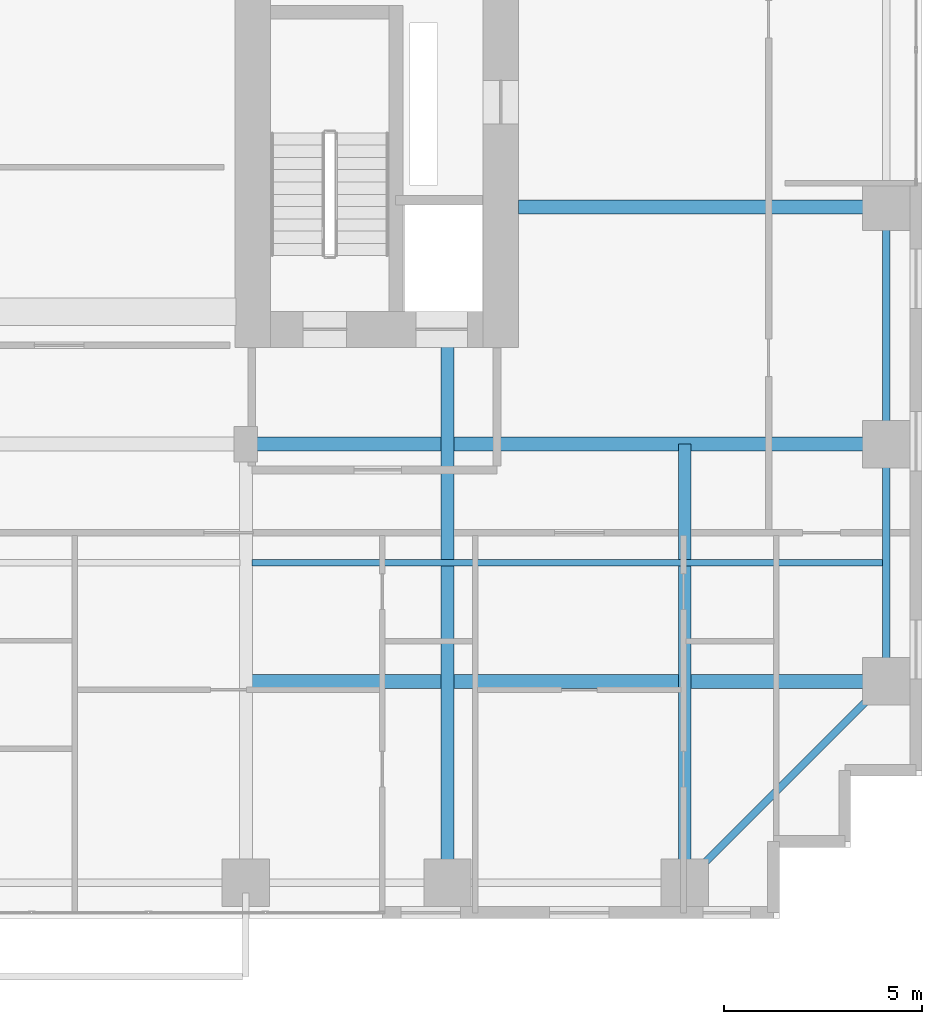
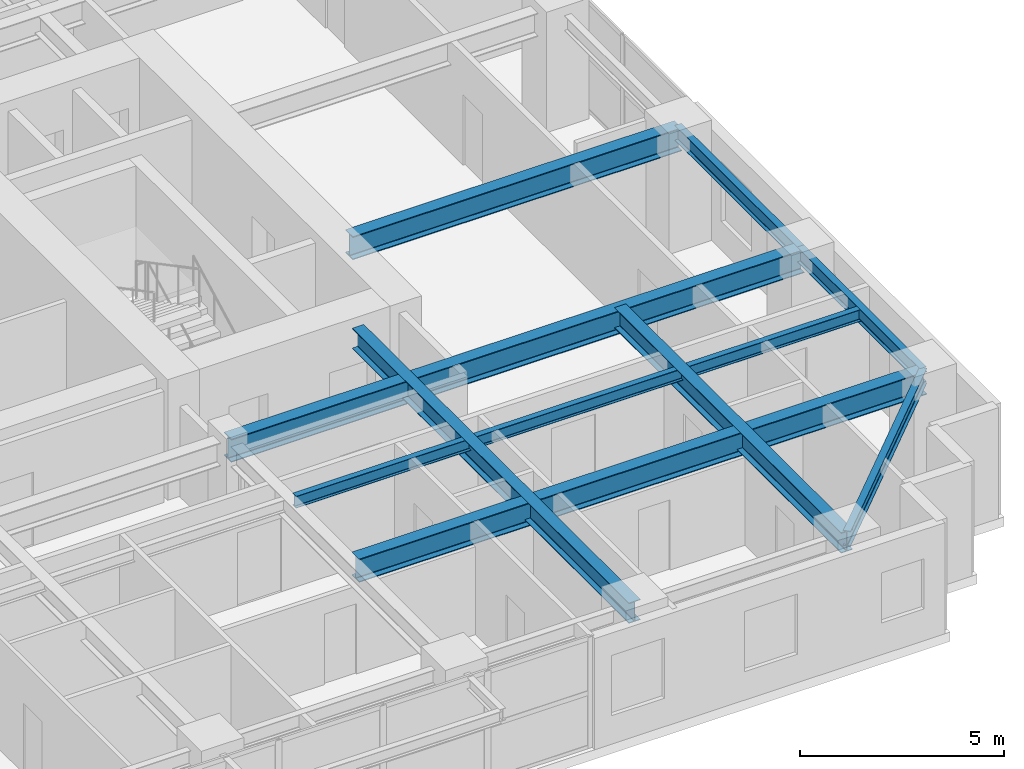
# One storey, part 8 of 24: 9 beams.
"""IFC4 building model written with IfcOpenShell, lengths in metres."""

from ifc_helpers import new_model, si_unit, direction, frame, origin, origin_2d, place, context, subcontext, project, spatial, i_section, extrude, source, transform, mapped, material, material_profile, profile_set, type_object, element, save


model = new_model("IFC4")

# Units and contexts
model_context = context("Model", 3, precision=1e-05, world=origin(), true_north=direction((0.0, 1.0)))
body_context = subcontext(model_context, "Body", "Model", "MODEL_VIEW")
ifc_project = project(units=[si_unit("LENGTHUNIT", "METRE"), si_unit("AREAUNIT", "SQUARE_METRE"), si_unit("VOLUMEUNIT", "CUBIC_METRE"), si_unit("PLANEANGLEUNIT", "RADIAN"), si_unit("MASSUNIT", "GRAM", prefix="KILO")], contexts=[model_context])

# Site, building, storey
site_placement = place(None, origin())
site = spatial("IfcSite", under=ifc_project, at=site_placement, CompositionType="ELEMENT")
building_placement = place(site_placement, origin())
building = spatial("IfcBuilding", under=site, at=building_placement, Name="Khoralis Quay Care Tower", CompositionType="ELEMENT")
storey_placement = place(building_placement, frame((0.0, 0.0, 54.89990234375)))
storey = spatial("IfcBuildingStorey", under=building, at=storey_placement, Name="L14", CompositionType="ELEMENT", Elevation=54.89990234375)

# Beams
ifc_material = material(Name="Steel S355", Category="steel")
ifc_material_profile_1 = material_profile(ifc_material, i_section(OverallWidth=0.18994140625, OverallDepth=0.449951171875, WebThickness=0.009521484375, FlangeThickness=0.0146484375, FilletRadius=0.02099609375, at=origin_2d()), Name="Steel S355")
ifc_profile_set_1 = profile_set([ifc_material_profile_1], Name="Steel S355")
beam_type_1 = type_object("IfcBeamType", Name="BM-IPE450", PredefinedType="SPANDREL", material=ifc_profile_set_1)
shared_shape_1 = source(origin(), body_context, "Body", "SweptSolid", [
    extrude(i_section(OverallWidth=0.18994140625, OverallDepth=0.449951171875, WebThickness=0.009521484375, FlangeThickness=0.0146484375, FilletRadius=0.02099609375, at=origin_2d()), origin(), (0.0, 0.0, 1.0), 6.0),
])
for number, where, z_axis, x_axis, name in (
    (1, (47.10009765625, 6.0, 3.09521484375), (0.0, 1.0, 0.0), (-1.0, 0.0, 0.0), "BM-TSP-L14-19"),
    (2, (47.10009765625, 12.0, 3.09521484375), (0.0, 1.0, 0.0), (-1.0, 0.0, 0.0), "BM-TSP-L14-20"),
):
    element("IfcBeam", number, at=place(storey_placement, frame(where, z_axis=z_axis, x_axis=x_axis)), inside=storey, type_object=beam_type_1, Name=name, PredefinedType="SPANDREL", context=body_context, shape_type="MappedRepresentation", body=[
        mapped(shared_shape_1, transform((0.0, 0.0, 0.0), scale=1.0)),
    ])
shared_shape_2 = source(origin(), body_context, "Body", "SweptSolid", [
    extrude(i_section(OverallWidth=0.18994140625, OverallDepth=0.449951171875, WebThickness=0.009521484375, FlangeThickness=0.0146484375, FilletRadius=0.02099609375, at=origin_2d()), origin(), (0.0, 0.0, 1.0), 7.212646484375),
])
beam_1_placement = place(storey_placement, frame((42.0, 0.89990234375, 3.09521484375), z_axis=(0.707106781187, 0.707106781187, 0.0), x_axis=(-0.707106781187, 0.707106781187, 0.0)))
element("IfcBeam", 3, at=beam_1_placement, inside=storey, type_object=beam_type_1, Name="BM-TCR-L14-26", PredefinedType="SPANDREL", context=body_context, shape_type="MappedRepresentation", body=[
    mapped(shared_shape_2, transform((0.0, 0.0, 0.0), scale=1.0)),
])
ifc_material_profile_2 = material_profile(ifc_material, i_section(OverallWidth=0.35498046875, OverallDepth=0.695068359375, WebThickness=0.015380859375, FlangeThickness=0.02490234375, FilletRadius=0.02001953125, at=origin_2d()), Name="Steel S355")
ifc_profile_set_2 = profile_set([ifc_material_profile_2], Name="Steel S355")
beam_type_2 = type_object("IfcBeamType", Name="BM-W690X217", PredefinedType="BEAM", material=ifc_profile_set_2)
shared_shape_3 = source(origin(), body_context, "Body", "SweptSolid", [
    extrude(i_section(OverallWidth=0.35498046875, OverallDepth=0.695068359375, WebThickness=0.015380859375, FlangeThickness=0.02490234375, FilletRadius=0.02001953125, at=origin_2d()), origin(), (0.0, 0.0, 1.0), 16.049560546875),
])
beam_2_placement = place(storey_placement, frame((31.050537109375, 6.0, 2.97265625), z_axis=(1.0, 0.0, 0.0), x_axis=(0.0, 1.0, 0.0)))
element("IfcBeam", 4, at=beam_2_placement, inside=storey, type_object=beam_type_2, Name="BM-TGXE-L14-60", PredefinedType="BEAM", context=body_context, shape_type="MappedRepresentation", body=[
    mapped(shared_shape_3, transform((0.0, 0.0, 0.0), scale=1.0)),
])
shared_shape_4 = source(origin(), body_context, "Body", "SweptSolid", [
    extrude(i_section(OverallWidth=0.35498046875, OverallDepth=0.695068359375, WebThickness=0.015380859375, FlangeThickness=0.02490234375, FilletRadius=0.02001953125, at=origin_2d()), origin(), (0.0, 0.0, 1.0), 16.2001953125),
])
beam_3_placement = place(storey_placement, frame((30.89990234375, 12.0, 2.97265625), z_axis=(1.0, 0.0, 0.0), x_axis=(0.0, 1.0, 0.0)))
element("IfcBeam", 5, at=beam_3_placement, inside=storey, type_object=beam_type_2, Name="BM-TGXE-L14-120", PredefinedType="BEAM", context=body_context, shape_type="MappedRepresentation", body=[
    mapped(shared_shape_4, transform((0.0, 0.0, 0.0), scale=1.0)),
])
shared_shape_5 = source(origin(), body_context, "Body", "SweptSolid", [
    extrude(i_section(OverallWidth=0.35498046875, OverallDepth=0.695068359375, WebThickness=0.015380859375, FlangeThickness=0.02490234375, FilletRadius=0.02001953125, at=origin_2d()), origin(), (0.0, 0.0, 1.0), 9.302001953125),
])
beam_4_placement = place(storey_placement, frame((37.798095703125, 18.0, 2.97265625), z_axis=(1.0, 0.0, 0.0), x_axis=(0.0, 1.0, 0.0)))
element("IfcBeam", 6, at=beam_4_placement, inside=storey, type_object=beam_type_2, Name="BM-TGXE-L14-180", PredefinedType="BEAM", context=body_context, shape_type="MappedRepresentation", body=[
    mapped(shared_shape_5, transform((0.0, 0.0, 0.0), scale=1.0)),
])
ifc_material_profile_3 = material_profile(ifc_material, i_section(OverallWidth=0.324951171875, OverallDepth=0.615966796875, WebThickness=0.013916015625, FlangeThickness=0.021484375, FilletRadius=0.01806640625, at=origin_2d()), Name="Steel S355")
ifc_profile_set_3 = profile_set([ifc_material_profile_3], Name="Steel S355")
beam_type_3 = type_object("IfcBeamType", Name="BM-W610X174", PredefinedType="BEAM", material=ifc_profile_set_3)
shared_shape_6 = source(origin(), body_context, "Body", "SweptSolid", [
    extrude(i_section(OverallWidth=0.324951171875, OverallDepth=0.615966796875, WebThickness=0.013916015625, FlangeThickness=0.021484375, FilletRadius=0.01806640625, at=origin_2d()), origin(), (0.0, 0.0, 1.0), 11.10009765625),
])
beam_5_placement = place(storey_placement, frame((42.0, 0.89990234375, 3.01220703125), z_axis=(0.0, 1.0, 0.0), x_axis=(-1.0, 0.0, 0.0)))
element("IfcBeam", 7, at=beam_5_placement, inside=storey, type_object=beam_type_3, Name="BM-TGYS-L14-420", PredefinedType="BEAM", context=body_context, shape_type="MappedRepresentation", body=[
    mapped(shared_shape_6, transform((0.0, 0.0, 0.0), scale=1.0)),
])
shared_shape_7 = source(origin(), body_context, "Body", "SweptSolid", [
    extrude(i_section(OverallWidth=0.324951171875, OverallDepth=0.615966796875, WebThickness=0.013916015625, FlangeThickness=0.021484375, FilletRadius=0.01806640625, at=origin_2d()), origin(), (0.0, 0.0, 1.0), 13.552001953125),
])
beam_6_placement = place(storey_placement, frame((36.0, 0.89990234375, 3.01220703125), z_axis=(0.0, 1.0, 0.0), x_axis=(-1.0, 0.0, 0.0)))
element("IfcBeam", 8, at=beam_6_placement, inside=storey, type_object=beam_type_3, Name="BM-TGYS-L14-360", PredefinedType="BEAM", context=body_context, shape_type="MappedRepresentation", body=[
    mapped(shared_shape_7, transform((0.0, 0.0, 0.0), scale=1.0)),
])
ifc_material_profile_4 = material_profile(ifc_material, i_section(OverallWidth=0.1708984375, OverallDepth=0.35498046875, WebThickness=0.007080078125, FlangeThickness=0.01171875, FilletRadius=0.012939453125, at=origin_2d()), Name="Steel S355")
ifc_profile_set_4 = profile_set([ifc_material_profile_4], Name="Steel S355")
beam_type_4 = type_object("IfcBeamType", Name="BM-W360X51", PredefinedType="JOIST", material=ifc_profile_set_4)
shared_shape_8 = source(origin(), body_context, "Body", "SweptSolid", [
    extrude(i_section(OverallWidth=0.1708984375, OverallDepth=0.35498046875, WebThickness=0.007080078125, FlangeThickness=0.01171875, FilletRadius=0.012939453125, at=origin_2d()), origin(), (0.0, 0.0, 1.0), 15.968505859375),
])
beam_7_placement = place(storey_placement, frame((31.050537109375, 9.0, 3.142578125), z_axis=(1.0, 0.0, 0.0), x_axis=(0.0, 1.0, 0.0)))
element("IfcBeam", 9, at=beam_7_placement, inside=storey, type_object=beam_type_4, Name="BM-TJS-L14-30", PredefinedType="JOIST", context=body_context, shape_type="MappedRepresentation", body=[
    mapped(shared_shape_8, transform((0.0, 0.0, 0.0), scale=1.0)),
])

save(model, "model.ifc")
